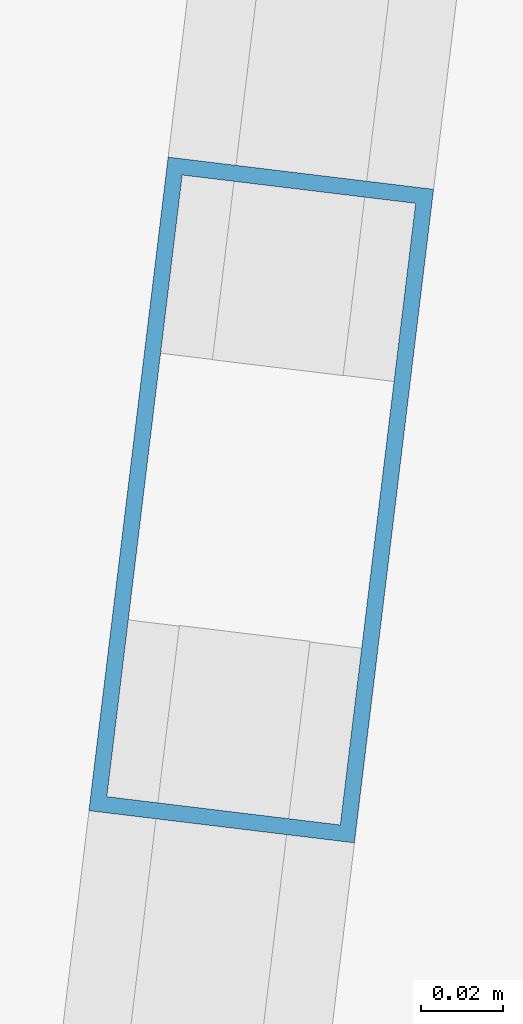
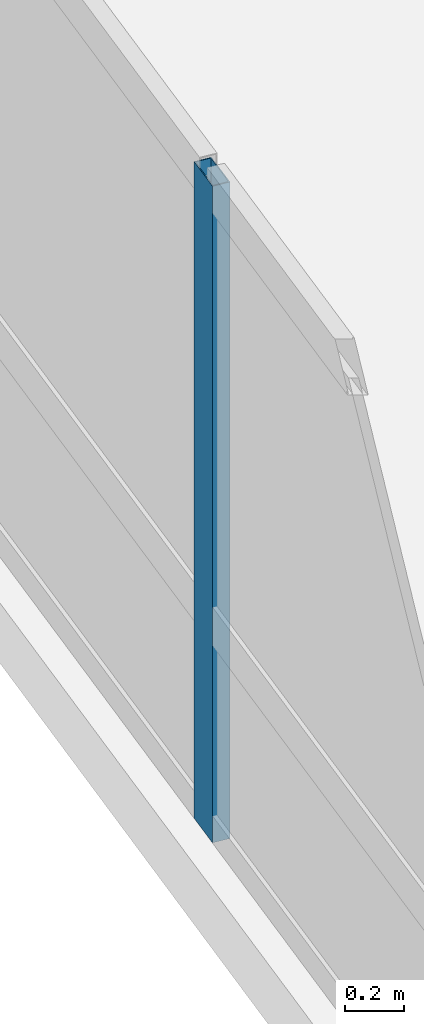
# One storey, part 4 of 25: 1 member, 1 element without a shape of its own.
"""IFC4 building model written with IfcOpenShell, lengths in metres."""

from ifc_helpers import new_model, si_unit, direction, frame, origin, origin_2d, place, context, subcontext, project, spatial, hollow_rectangle, extrude, material, layer, layer_set, material_profile, profile_set, type_object, element, aggregate, save


model = new_model("IFC4")

# Units and contexts
model_context = context("Model", 3, precision=1e-05, world=origin(), true_north=direction((0.0, 1.0)))
body_context = subcontext(model_context, "Body", "Model", "MODEL_VIEW")
ifc_project = project(units=[si_unit("LENGTHUNIT", "METRE"), si_unit("AREAUNIT", "SQUARE_METRE"), si_unit("VOLUMEUNIT", "CUBIC_METRE"), si_unit("PLANEANGLEUNIT", "RADIAN"), si_unit("MASSUNIT", "GRAM", prefix="KILO")], contexts=[model_context])

# Site, building, storey
site_placement = place(None, origin())
site = spatial("IfcSite", under=ifc_project, at=site_placement, CompositionType="ELEMENT")
building_placement = place(site_placement, origin())
building = spatial("IfcBuilding", under=site, at=building_placement, Name="Varnelok Gate Tower", CompositionType="ELEMENT")
storey_placement = place(building_placement, frame((0.0, 0.0, 140.199951171875)))
storey = spatial("IfcBuildingStorey", under=building, at=storey_placement, Name="L35", CompositionType="ELEMENT", Elevation=140.199951171875)

# Curtain wall, member
ifc_material = material(Name="Anodized Aluminum Alloy 6063-T6", Category="aluminium")
ifc_layer = layer(ifc_material, 0.179931640625)
ifc_layer_set = layer_set([ifc_layer], Name="Anodized Aluminum Alloy 6063-T6")
curtain_wall_type = type_object("IfcCurtainWallType", Name="CW3-HOTEL-VISION", PredefinedType="USERDEFINED", material=ifc_layer_set)
curtain_wall_placement = place(storey_placement, origin())
curtain_wall = element("IfcCurtainWall", 1, at=curtain_wall_placement, inside=storey, type_object=curtain_wall_type, Name="L35 West End Vision Curtain Wall", ObjectType="UNITISED CURTAIN WALL", PredefinedType="USERDEFINED")
ifc_material_profile = material_profile(ifc_material, hollow_rectangle(XDim=0.06494140625, YDim=0.159912109375, WallThickness=0.00390625, at=origin_2d()), Name="ALU160X65X4")
ifc_profile_set = profile_set([ifc_material_profile], Name="Anodized Aluminum Alloy 6063-T6")
member_type = type_object("IfcMemberType", Name="CW-MULL-160", PredefinedType="MULLION", material=ifc_profile_set)
member_placement = place(storey_placement, frame((1.109619140625, 19.03857421875, 0.0), z_axis=(0.0, 0.0, 1.0), x_axis=(-0.99273188146, 0.120347046212, 0.0)))
member = element("IfcMember", 2, at=member_placement, type_object=member_type, Name="CW3 mullion 2", PredefinedType="MULLION", context=body_context, shape_type="SweptSolid", body=[
    extrude(hollow_rectangle(XDim=0.06494140625, YDim=0.159912109375, WallThickness=0.00390625, at=origin_2d()), origin(), (0.0, 0.0, 1.0), 2.72998046875),
])
aggregate(curtain_wall, [member])

save(model, "model.ifc")
